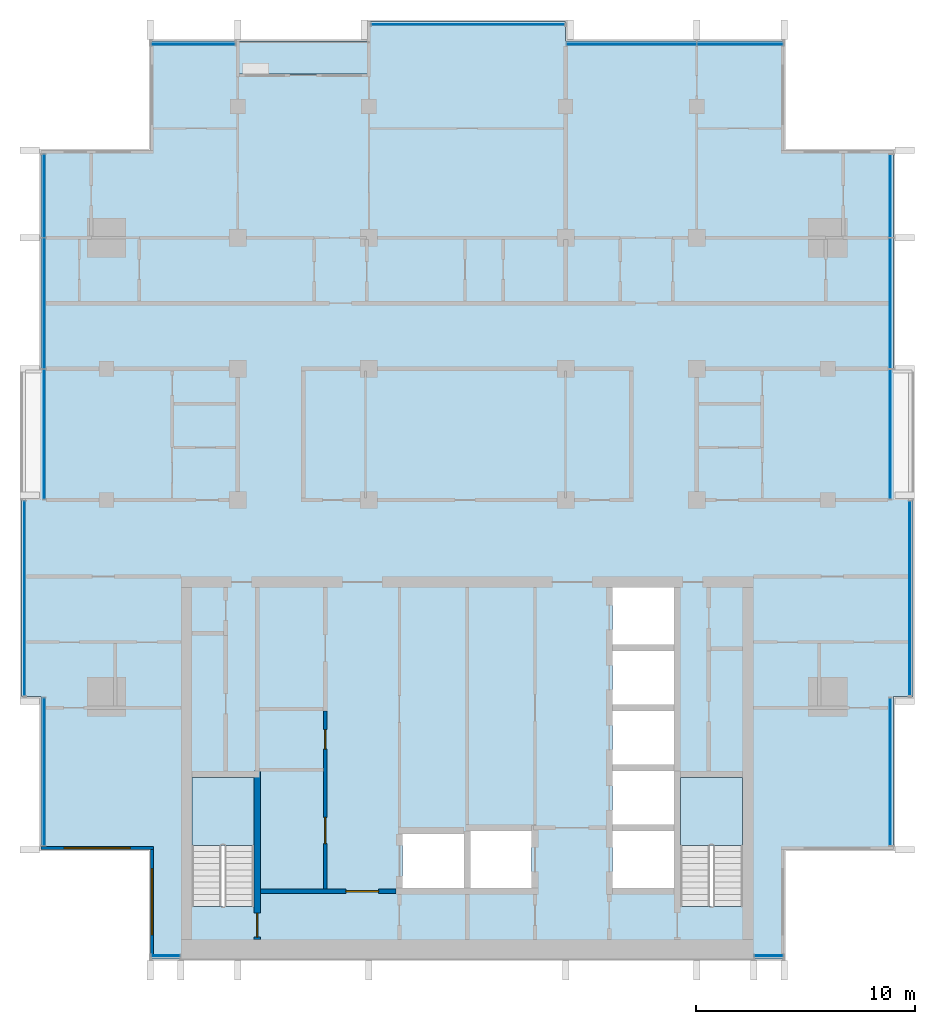
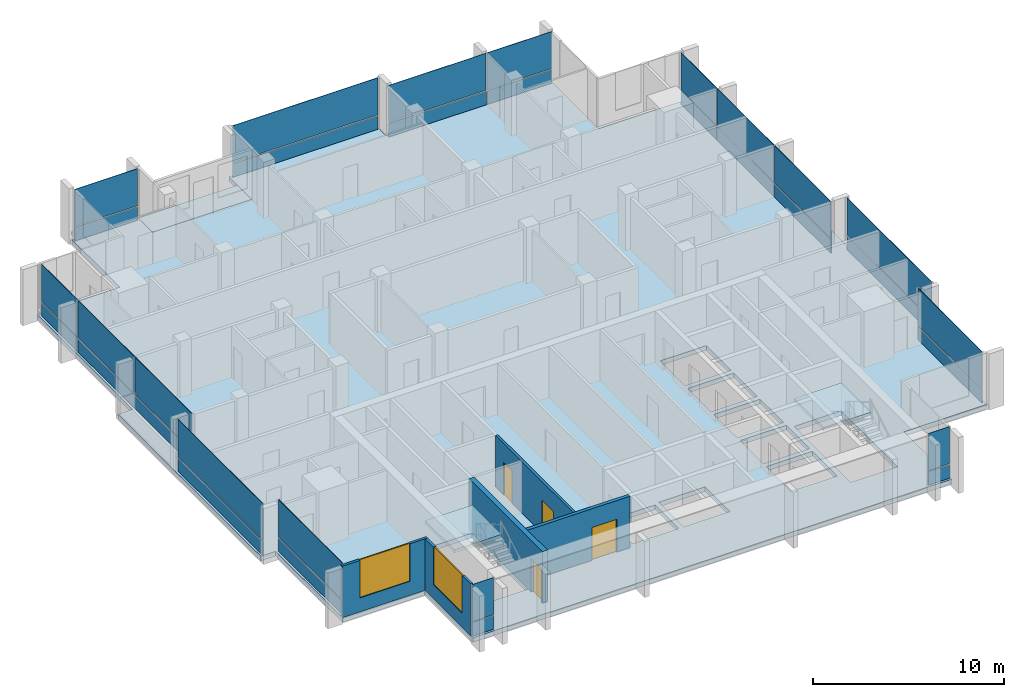
# One storey, part 6 of 16: 32 plates, 5 walls, 4 doors, 4 slabs, 2 windows, 6 openings, 13 elements without a shape of their own.
"""IFC4 building model written with IfcOpenShell, lengths in metres."""

import ifcopenshell
import ifcopenshell.guid

model = None  # the IFC model being written
_history = None  # IfcOwnerHistory: only IFC2X3 demands one
_inside = {}  # id of a spatial element -> (the spatial element, [elements in it])
_under = {}  # id of a project, library or spatial element -> (it, [spatial elements below it])
_declared = {}  # id of a project -> (the project, [libraries it declares])
_typed = {}  # id of a type object -> (the type object, [elements of that type])
_made_of = {}  # id of a material, layer set ... -> (it, [elements and type objects made of it])


def new_model(schema):
    """Start an empty IFC model of exactly this schema.

    Asked for "IFC4X3", IfcOpenShell would pick the latest addendum, in which some entities
    have other attributes; the version numbers below select the first issue.
    IFC2X3 requires an IfcOwnerHistory on every rooted entity: one is made here for all.
    """
    global model, _history
    if schema == "IFC4X3":
        model = ifcopenshell.file(schema_version=(4, 3, 0, 0))
    else:
        model = ifcopenshell.file(schema=schema)
    _inside.clear()
    _under.clear()
    _declared.clear()
    _typed.clear()
    _made_of.clear()
    _history = None
    if model.schema == "IFC2X3":
        org = make("IfcOrganization", Name="unknown")
        user = make(
            "IfcPersonAndOrganization",
            ThePerson=make("IfcPerson", FamilyName="unknown"),
            TheOrganization=org,
        )
        app = make(
            "IfcApplication",
            ApplicationDeveloper=org,
            Version="unknown",
            ApplicationFullName="unknown",
            ApplicationIdentifier="unknown",
        )
        _history = make(
            "IfcOwnerHistory",
            OwningUser=user,
            OwningApplication=app,
            ChangeAction="ADDED",
            CreationDate=0,
        )
    return model


def make(cls, **values):
    """One entity of the class cls with the attributes given. An attribute that is None is left unset."""
    return model.create_entity(
        cls, **{name: value for name, value in values.items() if value is not None}
    )


def rooted(cls, **values):
    """An entity with a GlobalId (a new one), such as an element, a storey or a relation."""
    return make(cls, GlobalId=ifcopenshell.guid.new(), OwnerHistory=_history, **values)


def si_unit(unit_type, name, prefix=None):
    """IfcSIUnit, for example si_unit("LENGTHUNIT", "METRE", prefix="MILLI")."""
    return make("IfcSIUnit", UnitType=unit_type, Prefix=prefix, Name=name)


def assignment(units):
    """IfcUnitAssignment: the units of a project."""
    return None if units is None else make("IfcUnitAssignment", Units=units)


def point(xyz):
    """IfcCartesianPoint."""
    return None if xyz is None else make("IfcCartesianPoint", Coordinates=xyz)


def direction(xyz):
    """IfcDirection."""
    return None if xyz is None else make("IfcDirection", DirectionRatios=xyz)


def frame(location, z_axis=None, x_axis=None):
    """IfcAxis2Placement3D, a coordinate frame: its origin and axes. An axis left out is left unset."""
    return make(
        "IfcAxis2Placement3D",
        Location=point(location),
        Axis=direction(z_axis),
        RefDirection=direction(x_axis),
    )


def frame_2d(location, x_axis=None):
    """IfcAxis2Placement2D, a coordinate frame in the plane: its origin and x axis."""
    return make(
        "IfcAxis2Placement2D", Location=point(location), RefDirection=direction(x_axis)
    )


def origin():
    """The frame at (0, 0, 0) with its axes left unset."""
    return frame((0.0, 0.0, 0.0))


def origin_2d():
    """The frame at (0, 0) in the plane with its x axis left unset."""
    return frame_2d((0.0, 0.0))


def place(relative_to, where):
    """IfcLocalPlacement: puts the frame where relative to a parent placement (None: the world)."""
    return make(
        "IfcLocalPlacement", PlacementRelTo=relative_to, RelativePlacement=where
    )


def context(
    kind, dimensions, precision=None, world=None, true_north=None, identifier=None
):
    """IfcGeometricRepresentationContext, for example the 3D "Model" context."""
    return make(
        "IfcGeometricRepresentationContext",
        ContextIdentifier=identifier,
        ContextType=kind,
        CoordinateSpaceDimension=dimensions,
        Precision=precision,
        WorldCoordinateSystem=world,
        TrueNorth=true_north,
    )


def subcontext(parent, identifier, kind, view, scale=None):
    """IfcGeometricRepresentationSubContext, for example "Body" below "Model"."""
    return make(
        "IfcGeometricRepresentationSubContext",
        ContextIdentifier=identifier,
        ContextType=kind,
        ParentContext=parent,
        TargetScale=scale,
        TargetView=view,
    )


def project(units=None, contexts=None):
    """IfcProject with its units and contexts."""
    return rooted(
        "IfcProject",
        Name="project",
        RepresentationContexts=contexts,
        UnitsInContext=assignment(units),
    )


def spatial(cls, under=None, at=None, **own):
    """A site, building, storey or space (cls), placed at a placement, below another one or the project."""
    s = rooted(cls, ObjectPlacement=at, **own)
    if under is not None:
        _under.setdefault(under.id(), (under, []))[1].append(s)
    return s


def polyline(points):
    """IfcPolyline through the points."""
    return make("IfcPolyline", Points=[point(p) for p in points])


def profile(cls, at=None, kind="AREA", **sizes):
    """A parametric profile (cls). Its sizes go by their IFC names, for example OverallWidth=200.0."""
    return make(cls, ProfileType=kind, Position=at, **sizes)


def rectangle(**sizes):
    """IfcRectangleProfileDef."""
    return profile("IfcRectangleProfileDef", **sizes)


def outline(outer, holes=None, kind="AREA"):
    """IfcArbitraryClosedProfileDef: a profile drawn as a closed curve; with holes, ...WithVoids."""
    if holes is None:
        return make("IfcArbitraryClosedProfileDef", ProfileType=kind, OuterCurve=outer)
    return make(
        "IfcArbitraryProfileDefWithVoids",
        ProfileType=kind,
        OuterCurve=outer,
        InnerCurves=holes,
    )


def extrude(swept, where, along, depth):
    """IfcExtrudedAreaSolid: the profile swept, set in the frame where, extruded along a direction by depth."""
    return make(
        "IfcExtrudedAreaSolid",
        SweptArea=swept,
        Position=where,
        ExtrudedDirection=direction(along),
        Depth=depth,
    )


def shape(context_of_items, identifier, shape_type, items):
    """IfcShapeRepresentation: the items that make up one representation, for example the "Body"."""
    return make(
        "IfcShapeRepresentation",
        ContextOfItems=context_of_items,
        RepresentationIdentifier=identifier,
        RepresentationType=shape_type,
        Items=items,
    )


def material(Name=None, Category=None):
    """IfcMaterial."""
    return make("IfcMaterial", Name=Name, Category=Category)


def layer(
    of_material, thickness, ventilated=None, Name=None, Category=None, Priority=None
):
    """IfcMaterialLayer: one layer of a wall or slab, of a material (None: an air gap)."""
    return make(
        "IfcMaterialLayer",
        Material=of_material,
        LayerThickness=thickness,
        IsVentilated=ventilated,
        Name=Name,
        Category=Category,
        Priority=Priority,
    )


def layer_set(layers, Name=None):
    """IfcMaterialLayerSet."""
    return make("IfcMaterialLayerSet", MaterialLayers=layers, LayerSetName=Name)


def made_of(thing, what):
    """Note that an element or type object is made of a material, layer set ...; save() writes the relation."""
    if what is not None:
        _made_of.setdefault(what.id(), (what, []))[1].append(thing)
    return thing


def type_object(cls, material=None, **own):
    """A type object (cls), such as IfcWallType, which elements share."""
    return made_of(rooted(cls, **own), material)


def element(
    cls,
    number,
    at=None,
    inside=None,
    cuts=None,
    type_object=None,
    material=None,
    context=None,
    identifier="Body",
    shape_type=None,
    held_by="IfcProductDefinitionShape",
    body=None,
    shapes=None,
    **own,
):
    """One element of the class cls, such as IfcWall. Its Tag is "e" and its number.

    at: its placement. inside: the storey or other place that contains it. cuts: it is an
    opening in that element (IfcRelVoidsElement). A single representation is given by context,
    identifier, shape_type and body (its items); several are given by shapes. held_by: the class
    of the entity that holds the representations. save() writes the other relations.
    """
    e = rooted(cls, Tag="e%d" % number, ObjectPlacement=at, **own)
    if body is not None:
        shapes = [shape(context, identifier, shape_type, body)]
    if shapes is not None:
        e.Representation = make(held_by, Representations=shapes)
    if inside is not None:
        _inside.setdefault(inside.id(), (inside, []))[1].append(e)
    if cuts is not None:
        rooted(
            "IfcRelVoidsElement", RelatingBuildingElement=cuts, RelatedOpeningElement=e
        )
    if type_object is not None:
        _typed.setdefault(type_object.id(), (type_object, []))[1].append(e)
    return made_of(e, material)


def fill(opening, filler):
    """IfcRelFillsElement: the door or window that sits in an opening."""
    return rooted(
        "IfcRelFillsElement",
        RelatingOpeningElement=opening,
        RelatedBuildingElement=filler,
    )


def aggregate(whole, parts):
    """IfcRelAggregates: a whole, such as a stair, and the parts it consists of."""
    return rooted("IfcRelAggregates", RelatingObject=whole, RelatedObjects=parts)


def save(model, path):
    """Write the relations noted so far, then the file.

    IfcRelAggregates (storeys below a building ...), IfcRelContainedInSpatialStructure (elements
    in a storey), IfcRelDefinesByType, IfcRelAssociatesMaterial and IfcRelDeclares: one each for
    every whole, place, type object, material and project.
    """
    for whole, parts in _under.values():
        aggregate(whole, parts)
    for where, things in _inside.values():
        rooted(
            "IfcRelContainedInSpatialStructure",
            RelatedElements=things,
            RelatingStructure=where,
        )
    for kind, things in _typed.values():
        rooted("IfcRelDefinesByType", RelatedObjects=things, RelatingType=kind)
    for what, things in _made_of.values():
        rooted("IfcRelAssociatesMaterial", RelatedObjects=things, RelatingMaterial=what)
    for by, libraries in _declared.values():
        rooted("IfcRelDeclares", RelatingContext=by, RelatedDefinitions=libraries)
    model.write(path)


model = new_model("IFC4")

# Units and contexts
model_context = context("Model", 3, precision=1e-05, world=origin(), true_north=direction((0.0, 1.0)))
body_context = subcontext(model_context, "Body", "Model", "MODEL_VIEW")
ifc_project = project(units=[si_unit("LENGTHUNIT", "METRE"), si_unit("AREAUNIT", "SQUARE_METRE"), si_unit("VOLUMEUNIT", "CUBIC_METRE"), si_unit("PLANEANGLEUNIT", "RADIAN"), si_unit("MASSUNIT", "GRAM", prefix="KILO")], contexts=[model_context])

# Site, building, storey
site_placement = place(None, origin())
site = spatial("IfcSite", under=ifc_project, at=site_placement, CompositionType="ELEMENT")
building_placement = place(site_placement, origin())
building = spatial("IfcBuilding", under=site, at=building_placement, Name="Finial Court Residences", CompositionType="ELEMENT")
storey_placement = place(building_placement, frame((0.0, 0.0, 277.10009765625)))
storey = spatial("IfcBuildingStorey", under=building, at=storey_placement, Name="L70", CompositionType="ELEMENT", Elevation=277.10009765625)

# Slab
ifc_material_1 = material(Name="Concrete C35/45", Category="concrete")
ifc_layer_1 = layer(ifc_material_1, 0.199951171875)
ifc_layer_set_1 = layer_set([ifc_layer_1], Name="Balcony slab, Concrete C35/45 200")
slab_type_1 = type_object("IfcSlabType", Name="Balcony slab, Concrete C35/45 200", PredefinedType="FLOOR", material=ifc_layer_set_1)
slab_1_placement = place(storey_placement, frame((0.0, 0.0, -0.2001953125)))
element("IfcSlab", 1, at=slab_1_placement, inside=storey, type_object=slab_type_1, Name="Balcony L70-N2", PredefinedType="FLOOR", context=body_context, shape_type="SweptSolid", body=[
    extrude(outline(polyline([(-4.5, 15.0), (-4.5, 16.5), (-10.5, 16.5), (-10.5, 15.0), (-4.5, 15.0)])), origin(), (0.0, 0.0, 1.0), 0.2001953125),
])

# Curtain wall, plate
ifc_material_2 = material(Name="Bronze anodised aluminium", Category="aluminium")
curtain_wall_type = type_object("IfcCurtainWallType", Name="Unitised curtain wall, upper zones", PredefinedType="NOTDEFINED", material=ifc_material_2)
curtain_wall_1_placement = place(storey_placement, origin())
curtain_wall_1 = element("IfcCurtainWall", 2, at=curtain_wall_1_placement, inside=storey, type_object=curtain_wall_type, Name="E-L70-CW-N1", PredefinedType="NOTDEFINED")
ifc_layer_2 = layer(ifc_material_2, 0.035888671875)
ifc_layer_set_2 = layer_set([ifc_layer_2], Name="CW2 spandrel panel 36")
plate_type_1 = type_object("IfcPlateType", Name="CW2 spandrel panel 36", PredefinedType="CURTAIN_PANEL", material=ifc_layer_set_2)
plate_1_placement = place(storey_placement, frame((-12.53759765625, 16.35009765625, -0.000244140625), z_axis=(0.0, 0.0, 1.0), x_axis=(1.0, 0.0, 0.0)))
plate_1 = element("IfcPlate", 3, at=plate_1_placement, type_object=plate_type_1, Name="CW2 spandrel 1.1", PredefinedType="CURTAIN_PANEL", context=body_context, shape_type="SweptSolid", body=[
    extrude(rectangle(XDim=3.804931640625, YDim=0.035888671875, at=origin_2d()), origin(), (0.0, 0.0, 1.0), 0.8701171875),
])

curtain_wall_2_placement = place(storey_placement, origin())
curtain_wall_2 = element("IfcCurtainWall", 4, at=curtain_wall_2_placement, inside=storey, type_object=curtain_wall_type, Name="E-L70-CW-N2", PredefinedType="NOTDEFINED")
plate_2_placement = place(storey_placement, frame((0.03759765625, 17.25, -0.000244140625), z_axis=(0.0, 0.0, 1.0), x_axis=(1.0, 0.0, 0.0)))
plate_2 = element("IfcPlate", 5, at=plate_2_placement, type_object=plate_type_1, Name="CW2 spandrel 1.1", PredefinedType="CURTAIN_PANEL", context=body_context, shape_type="SweptSolid", body=[
    extrude(rectangle(XDim=8.804931640625, YDim=0.035888671875, at=origin_2d()), origin(), (0.0, 0.0, 1.0), 0.8701171875),
])

# Curtain wall, plates
curtain_wall_3_placement = place(storey_placement, origin())
curtain_wall_3 = element("IfcCurtainWall", 6, at=curtain_wall_3_placement, inside=storey, type_object=curtain_wall_type, Name="E-L70-CW-N3", PredefinedType="NOTDEFINED")
plate_3_placement = place(storey_placement, frame((7.514892578125, 16.35009765625, -0.000244140625), z_axis=(0.0, 0.0, 1.0), x_axis=(1.0, 0.0, 0.0)))
plate_3 = element("IfcPlate", 7, at=plate_3_placement, type_object=plate_type_1, Name="CW2 spandrel 1.1", PredefinedType="CURTAIN_PANEL", context=body_context, shape_type="SweptSolid", body=[
    extrude(rectangle(XDim=5.909912109375, YDim=0.035888671875, at=origin_2d()), origin(), (0.0, 0.0, 1.0), 0.8701171875),
])
plate_4_placement = place(storey_placement, frame((12.485107421875, 16.35009765625, -0.000244140625), z_axis=(0.0, 0.0, 1.0), x_axis=(1.0, 0.0, 0.0)))
plate_4 = element("IfcPlate", 8, at=plate_4_placement, type_object=plate_type_1, Name="CW2 spandrel 2.1", PredefinedType="CURTAIN_PANEL", context=body_context, shape_type="SweptSolid", body=[
    extrude(rectangle(XDim=3.909912109375, YDim=0.035888671875, at=origin_2d()), origin(), (0.0, 0.0, 1.0), 0.8701171875),
])

# Curtain wall, plate
curtain_wall_4_placement = place(storey_placement, origin())
curtain_wall_4 = element("IfcCurtainWall", 9, at=curtain_wall_4_placement, inside=storey, type_object=curtain_wall_type, Name="E-L70-CW-E4", PredefinedType="NOTDEFINED")
plate_5_placement = place(storey_placement, frame((19.35009765625, -16.925048828125, -0.000244140625), z_axis=(0.0, 0.0, 1.0), x_axis=(0.0, 1.0, 0.0)))
plate_5 = element("IfcPlate", 10, at=plate_5_placement, type_object=plate_type_1, Name="CW2 spandrel 1.1", PredefinedType="CURTAIN_PANEL", context=body_context, shape_type="SweptSolid", body=[
    extrude(rectangle(XDim=6.72998046875, YDim=0.035888671875, at=origin_2d()), origin(), (0.0, 0.0, 1.0), 0.8701171875),
])

curtain_wall_5_placement = place(storey_placement, origin())
curtain_wall_5 = element("IfcCurtainWall", 11, at=curtain_wall_5_placement, inside=storey, type_object=curtain_wall_type, Name="E-L70-CW-E5", PredefinedType="NOTDEFINED")
plate_6_placement = place(storey_placement, frame((20.25, -9.0, -0.000244140625), z_axis=(0.0, 0.0, 1.0), x_axis=(0.0, 1.0, 0.0)))
plate_6 = element("IfcPlate", 12, at=plate_6_placement, type_object=plate_type_1, Name="CW2 spandrel 1.1", PredefinedType="CURTAIN_PANEL", context=body_context, shape_type="SweptSolid", body=[
    extrude(rectangle(XDim=8.8798828125, YDim=0.035888671875, at=origin_2d()), origin(), (0.0, 0.0, 1.0), 0.8701171875),
])

# Curtain wall, plates
curtain_wall_6_placement = place(storey_placement, origin())
curtain_wall_6 = element("IfcCurtainWall", 13, at=curtain_wall_6_placement, inside=storey, type_object=curtain_wall_type, Name="E-L70-CW-E6", PredefinedType="NOTDEFINED")
plate_7_placement = place(storey_placement, frame((19.35009765625, -1.485107421875, -0.000244140625), z_axis=(0.0, 0.0, 1.0), x_axis=(0.0, 1.0, 0.0)))
plate_7 = element("IfcPlate", 14, at=plate_7_placement, type_object=plate_type_1, Name="CW2 spandrel 1.1", PredefinedType="CURTAIN_PANEL", context=body_context, shape_type="SweptSolid", body=[
    extrude(rectangle(XDim=5.909912109375, YDim=0.035888671875, at=origin_2d()), origin(), (0.0, 0.0, 1.0), 0.8701171875),
])
plate_8_placement = place(storey_placement, frame((19.35009765625, 4.5, -0.000244140625), z_axis=(0.0, 0.0, 1.0), x_axis=(0.0, 1.0, 0.0)))
plate_8 = element("IfcPlate", 15, at=plate_8_placement, type_object=plate_type_1, Name="CW2 spandrel 2.1", PredefinedType="CURTAIN_PANEL", context=body_context, shape_type="SweptSolid", body=[
    extrude(rectangle(XDim=5.93994140625, YDim=0.035888671875, at=origin_2d()), origin(), (0.0, 0.0, 1.0), 0.8701171875),
])
plate_9_placement = place(storey_placement, frame((19.35009765625, 9.409912109375, -0.000244140625), z_axis=(0.0, 0.0, 1.0), x_axis=(0.0, 1.0, 0.0)))
plate_9 = element("IfcPlate", 16, at=plate_9_placement, type_object=plate_type_1, Name="CW2 spandrel 3.1", PredefinedType="CURTAIN_PANEL", context=body_context, shape_type="SweptSolid", body=[
    extrude(rectangle(XDim=3.760009765625, YDim=0.035888671875, at=origin_2d()), origin(), (0.0, 0.0, 1.0), 0.8701171875),
])

# Curtain wall, plate
curtain_wall_7_placement = place(storey_placement, origin())
curtain_wall_7 = element("IfcCurtainWall", 17, at=curtain_wall_7_placement, inside=storey, type_object=curtain_wall_type, Name="E-L70-CW-S7", PredefinedType="NOTDEFINED")
plate_10_placement = place(storey_placement, frame((-13.800048828125, -25.35009765625, -0.000244140625), z_axis=(0.0, 0.0, 1.0), x_axis=(1.0, 0.0, 0.0)))
plate_10 = element("IfcPlate", 18, at=plate_10_placement, type_object=plate_type_1, Name="CW2 spandrel 1.1", PredefinedType="CURTAIN_PANEL", context=body_context, shape_type="SweptSolid", body=[
    extrude(rectangle(XDim=1.280029296875, YDim=0.035888671875, at=origin_2d()), origin(), (0.0, 0.0, 1.0), 0.8701171875),
])

curtain_wall_8_placement = place(storey_placement, origin())
curtain_wall_8 = element("IfcCurtainWall", 19, at=curtain_wall_8_placement, inside=storey, type_object=curtain_wall_type, Name="E-L70-CW-S8", PredefinedType="NOTDEFINED")
plate_11_placement = place(storey_placement, frame((13.800048828125, -25.35009765625, -0.000244140625), z_axis=(0.0, 0.0, 1.0), x_axis=(1.0, 0.0, 0.0)))
plate_11 = element("IfcPlate", 20, at=plate_11_placement, type_object=plate_type_1, Name="CW2 spandrel 1.1", PredefinedType="CURTAIN_PANEL", context=body_context, shape_type="SweptSolid", body=[
    extrude(rectangle(XDim=1.280029296875, YDim=0.035888671875, at=origin_2d()), origin(), (0.0, 0.0, 1.0), 0.8701171875),
])

curtain_wall_9_placement = place(storey_placement, origin())
curtain_wall_9 = element("IfcCurtainWall", 21, at=curtain_wall_9_placement, inside=storey, type_object=curtain_wall_type, Name="E-L70-CW-W9", PredefinedType="NOTDEFINED")
plate_12_placement = place(storey_placement, frame((-19.35009765625, -16.925048828125, -0.000244140625), z_axis=(0.0, 0.0, 1.0), x_axis=(0.0, 1.0, 0.0)))
plate_12 = element("IfcPlate", 22, at=plate_12_placement, type_object=plate_type_1, Name="CW2 spandrel 1.1", PredefinedType="CURTAIN_PANEL", context=body_context, shape_type="SweptSolid", body=[
    extrude(rectangle(XDim=6.72998046875, YDim=0.035888671875, at=origin_2d()), origin(), (0.0, 0.0, 1.0), 0.8701171875),
])

curtain_wall_10_placement = place(storey_placement, origin())
curtain_wall_10 = element("IfcCurtainWall", 23, at=curtain_wall_10_placement, inside=storey, type_object=curtain_wall_type, Name="E-L70-CW-W10", PredefinedType="NOTDEFINED")
plate_13_placement = place(storey_placement, frame((-20.25, -9.0, -0.000244140625), z_axis=(0.0, 0.0, 1.0), x_axis=(0.0, 1.0, 0.0)))
plate_13 = element("IfcPlate", 24, at=plate_13_placement, type_object=plate_type_1, Name="CW2 spandrel 1.1", PredefinedType="CURTAIN_PANEL", context=body_context, shape_type="SweptSolid", body=[
    extrude(rectangle(XDim=8.8798828125, YDim=0.035888671875, at=origin_2d()), origin(), (0.0, 0.0, 1.0), 0.8701171875),
])

# Curtain wall, plates
curtain_wall_11_placement = place(storey_placement, origin())
curtain_wall_11 = element("IfcCurtainWall", 25, at=curtain_wall_11_placement, inside=storey, type_object=curtain_wall_type, Name="E-L70-CW-W11", PredefinedType="NOTDEFINED")
plate_14_placement = place(storey_placement, frame((-19.35009765625, -1.485107421875, -0.000244140625), z_axis=(0.0, 0.0, 1.0), x_axis=(0.0, 1.0, 0.0)))
plate_14 = element("IfcPlate", 26, at=plate_14_placement, type_object=plate_type_1, Name="CW2 spandrel 1.1", PredefinedType="CURTAIN_PANEL", context=body_context, shape_type="SweptSolid", body=[
    extrude(rectangle(XDim=5.909912109375, YDim=0.035888671875, at=origin_2d()), origin(), (0.0, 0.0, 1.0), 0.8701171875),
])
plate_15_placement = place(storey_placement, frame((-19.35009765625, 4.5, -0.000244140625), z_axis=(0.0, 0.0, 1.0), x_axis=(0.0, 1.0, 0.0)))
plate_15 = element("IfcPlate", 27, at=plate_15_placement, type_object=plate_type_1, Name="CW2 spandrel 2.1", PredefinedType="CURTAIN_PANEL", context=body_context, shape_type="SweptSolid", body=[
    extrude(rectangle(XDim=5.93994140625, YDim=0.035888671875, at=origin_2d()), origin(), (0.0, 0.0, 1.0), 0.8701171875),
])
plate_16_placement = place(storey_placement, frame((-19.35009765625, 9.409912109375, -0.000244140625), z_axis=(0.0, 0.0, 1.0), x_axis=(0.0, 1.0, 0.0)))
plate_16 = element("IfcPlate", 28, at=plate_16_placement, type_object=plate_type_1, Name="CW2 spandrel 3.1", PredefinedType="CURTAIN_PANEL", context=body_context, shape_type="SweptSolid", body=[
    extrude(rectangle(XDim=3.760009765625, YDim=0.035888671875, at=origin_2d()), origin(), (0.0, 0.0, 1.0), 0.8701171875),
])

# Plate
ifc_material_3 = material(Name="Clear low-e glass", Category="glass")
ifc_layer_3 = layer(ifc_material_3, 0.030029296875)
ifc_layer_set_3 = layer_set([ifc_layer_3], Name="CW2 vision glass 30")
plate_type_2 = type_object("IfcPlateType", Name="CW2 vision glass 30", PredefinedType="CURTAIN_PANEL", material=ifc_layer_set_3)
plate_17_placement = place(storey_placement, frame((-12.53759765625, 16.35009765625, 0.929931640625), z_axis=(0.0, 0.0, 1.0), x_axis=(1.0, 0.0, 0.0)))
plate_17 = element("IfcPlate", 29, at=plate_17_placement, type_object=plate_type_2, Name="CW2 glass 1.2", PredefinedType="CURTAIN_PANEL", context=body_context, shape_type="SweptSolid", body=[
    extrude(rectangle(XDim=3.804931640625, YDim=0.030029296875, at=origin_2d()), origin(), (0.0, 0.0, 1.0), 2.3701171875),
])

aggregate(curtain_wall_1, [plate_1, plate_17])

plate_18_placement = place(storey_placement, frame((0.03759765625, 17.25, 0.929931640625), z_axis=(0.0, 0.0, 1.0), x_axis=(1.0, 0.0, 0.0)))
plate_18 = element("IfcPlate", 30, at=plate_18_placement, type_object=plate_type_2, Name="CW2 glass 1.2", PredefinedType="CURTAIN_PANEL", context=body_context, shape_type="SweptSolid", body=[
    extrude(rectangle(XDim=8.804931640625, YDim=0.030029296875, at=origin_2d()), origin(), (0.0, 0.0, 1.0), 2.3701171875),
])

aggregate(curtain_wall_2, [plate_2, plate_18])

plate_19_placement = place(storey_placement, frame((7.514892578125, 16.35009765625, 0.929931640625), z_axis=(0.0, 0.0, 1.0), x_axis=(1.0, 0.0, 0.0)))
plate_19 = element("IfcPlate", 31, at=plate_19_placement, type_object=plate_type_2, Name="CW2 glass 1.2", PredefinedType="CURTAIN_PANEL", context=body_context, shape_type="SweptSolid", body=[
    extrude(rectangle(XDim=5.909912109375, YDim=0.030029296875, at=origin_2d()), origin(), (0.0, 0.0, 1.0), 2.3701171875),
])

plate_20_placement = place(storey_placement, frame((12.485107421875, 16.35009765625, 0.929931640625), z_axis=(0.0, 0.0, 1.0), x_axis=(1.0, 0.0, 0.0)))
plate_20 = element("IfcPlate", 32, at=plate_20_placement, type_object=plate_type_2, Name="CW2 glass 2.2", PredefinedType="CURTAIN_PANEL", context=body_context, shape_type="SweptSolid", body=[
    extrude(rectangle(XDim=3.909912109375, YDim=0.030029296875, at=origin_2d()), origin(), (0.0, 0.0, 1.0), 2.3701171875),
])

aggregate(curtain_wall_3, [plate_3, plate_19, plate_4, plate_20])

plate_21_placement = place(storey_placement, frame((19.35009765625, -16.925048828125, 0.929931640625), z_axis=(0.0, 0.0, 1.0), x_axis=(0.0, 1.0, 0.0)))
plate_21 = element("IfcPlate", 33, at=plate_21_placement, type_object=plate_type_2, Name="CW2 glass 1.2", PredefinedType="CURTAIN_PANEL", context=body_context, shape_type="SweptSolid", body=[
    extrude(rectangle(XDim=6.72998046875, YDim=0.030029296875, at=origin_2d()), origin(), (0.0, 0.0, 1.0), 2.3701171875),
])

aggregate(curtain_wall_4, [plate_5, plate_21])

plate_22_placement = place(storey_placement, frame((20.25, -9.0, 0.929931640625), z_axis=(0.0, 0.0, 1.0), x_axis=(0.0, 1.0, 0.0)))
plate_22 = element("IfcPlate", 34, at=plate_22_placement, type_object=plate_type_2, Name="CW2 glass 1.2", PredefinedType="CURTAIN_PANEL", context=body_context, shape_type="SweptSolid", body=[
    extrude(rectangle(XDim=8.8798828125, YDim=0.030029296875, at=origin_2d()), origin(), (0.0, 0.0, 1.0), 2.3701171875),
])

aggregate(curtain_wall_5, [plate_6, plate_22])

plate_23_placement = place(storey_placement, frame((19.35009765625, -1.485107421875, 0.929931640625), z_axis=(0.0, 0.0, 1.0), x_axis=(0.0, 1.0, 0.0)))
plate_23 = element("IfcPlate", 35, at=plate_23_placement, type_object=plate_type_2, Name="CW2 glass 1.2", PredefinedType="CURTAIN_PANEL", context=body_context, shape_type="SweptSolid", body=[
    extrude(rectangle(XDim=5.909912109375, YDim=0.030029296875, at=origin_2d()), origin(), (0.0, 0.0, 1.0), 2.3701171875),
])

plate_24_placement = place(storey_placement, frame((19.35009765625, 4.5, 0.929931640625), z_axis=(0.0, 0.0, 1.0), x_axis=(0.0, 1.0, 0.0)))
plate_24 = element("IfcPlate", 36, at=plate_24_placement, type_object=plate_type_2, Name="CW2 glass 2.2", PredefinedType="CURTAIN_PANEL", context=body_context, shape_type="SweptSolid", body=[
    extrude(rectangle(XDim=5.93994140625, YDim=0.030029296875, at=origin_2d()), origin(), (0.0, 0.0, 1.0), 2.3701171875),
])

plate_25_placement = place(storey_placement, frame((19.35009765625, 9.409912109375, 0.929931640625), z_axis=(0.0, 0.0, 1.0), x_axis=(0.0, 1.0, 0.0)))
plate_25 = element("IfcPlate", 37, at=plate_25_placement, type_object=plate_type_2, Name="CW2 glass 3.2", PredefinedType="CURTAIN_PANEL", context=body_context, shape_type="SweptSolid", body=[
    extrude(rectangle(XDim=3.760009765625, YDim=0.030029296875, at=origin_2d()), origin(), (0.0, 0.0, 1.0), 2.3701171875),
])

aggregate(curtain_wall_6, [plate_7, plate_23, plate_8, plate_24, plate_9, plate_25])

plate_26_placement = place(storey_placement, frame((-13.800048828125, -25.35009765625, 0.929931640625), z_axis=(0.0, 0.0, 1.0), x_axis=(1.0, 0.0, 0.0)))
plate_26 = element("IfcPlate", 38, at=plate_26_placement, type_object=plate_type_2, Name="CW2 glass 1.2", PredefinedType="CURTAIN_PANEL", context=body_context, shape_type="SweptSolid", body=[
    extrude(rectangle(XDim=1.280029296875, YDim=0.030029296875, at=origin_2d()), origin(), (0.0, 0.0, 1.0), 2.3701171875),
])

aggregate(curtain_wall_7, [plate_10, plate_26])

plate_27_placement = place(storey_placement, frame((13.800048828125, -25.35009765625, 0.929931640625), z_axis=(0.0, 0.0, 1.0), x_axis=(1.0, 0.0, 0.0)))
plate_27 = element("IfcPlate", 39, at=plate_27_placement, type_object=plate_type_2, Name="CW2 glass 1.2", PredefinedType="CURTAIN_PANEL", context=body_context, shape_type="SweptSolid", body=[
    extrude(rectangle(XDim=1.280029296875, YDim=0.030029296875, at=origin_2d()), origin(), (0.0, 0.0, 1.0), 2.3701171875),
])

aggregate(curtain_wall_8, [plate_11, plate_27])

plate_28_placement = place(storey_placement, frame((-19.35009765625, -16.925048828125, 0.929931640625), z_axis=(0.0, 0.0, 1.0), x_axis=(0.0, 1.0, 0.0)))
plate_28 = element("IfcPlate", 40, at=plate_28_placement, type_object=plate_type_2, Name="CW2 glass 1.2", PredefinedType="CURTAIN_PANEL", context=body_context, shape_type="SweptSolid", body=[
    extrude(rectangle(XDim=6.72998046875, YDim=0.030029296875, at=origin_2d()), origin(), (0.0, 0.0, 1.0), 2.3701171875),
])

aggregate(curtain_wall_9, [plate_12, plate_28])

plate_29_placement = place(storey_placement, frame((-20.25, -9.0, 0.929931640625), z_axis=(0.0, 0.0, 1.0), x_axis=(0.0, 1.0, 0.0)))
plate_29 = element("IfcPlate", 41, at=plate_29_placement, type_object=plate_type_2, Name="CW2 glass 1.2", PredefinedType="CURTAIN_PANEL", context=body_context, shape_type="SweptSolid", body=[
    extrude(rectangle(XDim=8.8798828125, YDim=0.030029296875, at=origin_2d()), origin(), (0.0, 0.0, 1.0), 2.3701171875),
])

aggregate(curtain_wall_10, [plate_13, plate_29])

plate_30_placement = place(storey_placement, frame((-19.35009765625, -1.485107421875, 0.929931640625), z_axis=(0.0, 0.0, 1.0), x_axis=(0.0, 1.0, 0.0)))
plate_30 = element("IfcPlate", 42, at=plate_30_placement, type_object=plate_type_2, Name="CW2 glass 1.2", PredefinedType="CURTAIN_PANEL", context=body_context, shape_type="SweptSolid", body=[
    extrude(rectangle(XDim=5.909912109375, YDim=0.030029296875, at=origin_2d()), origin(), (0.0, 0.0, 1.0), 2.3701171875),
])

plate_31_placement = place(storey_placement, frame((-19.35009765625, 4.5, 0.929931640625), z_axis=(0.0, 0.0, 1.0), x_axis=(0.0, 1.0, 0.0)))
plate_31 = element("IfcPlate", 43, at=plate_31_placement, type_object=plate_type_2, Name="CW2 glass 2.2", PredefinedType="CURTAIN_PANEL", context=body_context, shape_type="SweptSolid", body=[
    extrude(rectangle(XDim=5.93994140625, YDim=0.030029296875, at=origin_2d()), origin(), (0.0, 0.0, 1.0), 2.3701171875),
])

plate_32_placement = place(storey_placement, frame((-19.35009765625, 9.409912109375, 0.929931640625), z_axis=(0.0, 0.0, 1.0), x_axis=(0.0, 1.0, 0.0)))
plate_32 = element("IfcPlate", 44, at=plate_32_placement, type_object=plate_type_2, Name="CW2 glass 3.2", PredefinedType="CURTAIN_PANEL", context=body_context, shape_type="SweptSolid", body=[
    extrude(rectangle(XDim=3.760009765625, YDim=0.030029296875, at=origin_2d()), origin(), (0.0, 0.0, 1.0), 2.3701171875),
])

aggregate(curtain_wall_11, [plate_14, plate_30, plate_15, plate_31, plate_16, plate_32])

# Stair, slab
ifc_material_4 = material(Name="Concrete C50/60", Category="concrete")
stair_type = type_object("IfcStairType", Name="Exit stair 22 risers of 163.6 mm", PredefinedType="HALF_TURN_STAIR", material=ifc_material_4)
stair_1_placement = place(storey_placement, origin())
stair_1 = element("IfcStair", 45, at=stair_1_placement, inside=storey, type_object=stair_type, Name="L70 Exit stair ST-1", PredefinedType="HALF_TURN_STAIR")
ifc_layer_4 = layer(ifc_material_4, 0.199951171875)
ifc_layer_set_4 = layer_set([ifc_layer_4], Name="Exit stair landing")
slab_type_2 = type_object("IfcSlabType", Name="Exit stair landing", PredefinedType="LANDING", material=ifc_layer_set_4)
slab_2_placement = place(storey_placement, frame((0.0, 0.0, 1.599853515625)))
slab_2 = element("IfcSlab", 46, at=slab_2_placement, type_object=slab_type_2, Name="ST-1 landing 1", PredefinedType="LANDING", context=body_context, shape_type="SweptSolid", body=[
    extrude(outline(polyline([(-9.75, -20.300048828125), (-9.75, -17.199951171875), (-12.60009765625, -17.199951171875), (-12.60009765625, -20.300048828125), (-9.75, -20.300048828125)])), origin(), (0.0, 0.0, 1.0), 0.199951171875),
])
aggregate(stair_1, [slab_2])

stair_2_placement = place(storey_placement, origin())
stair_2 = element("IfcStair", 47, at=stair_2_placement, inside=storey, type_object=stair_type, Name="L70 Exit stair ST-2", PredefinedType="HALF_TURN_STAIR")
slab_3_placement = place(storey_placement, frame((0.0, 0.0, 1.599853515625)))
slab_3 = element("IfcSlab", 48, at=slab_3_placement, type_object=slab_type_2, Name="ST-2 landing 1", PredefinedType="LANDING", context=body_context, shape_type="SweptSolid", body=[
    extrude(outline(polyline([(12.60009765625, -20.300048828125), (12.60009765625, -17.199951171875), (9.75, -17.199951171875), (9.75, -20.300048828125), (12.60009765625, -20.300048828125)])), origin(), (0.0, 0.0, 1.0), 0.199951171875),
])
aggregate(stair_2, [slab_3])

# Slab
ifc_material_5 = material(Name="Concrete C40/50", Category="concrete")
ifc_layer_5 = layer(ifc_material_5, 0.300048828125)
ifc_layer_set_5 = layer_set([ifc_layer_5], Name="Flat plate slab 300 Concrete C40/50")
slab_type_3 = type_object("IfcSlabType", Name="Flat plate slab 300 Concrete C40/50", PredefinedType="FLOOR", material=ifc_layer_set_5)
slab_4_placement = place(storey_placement, frame((0.0, 0.0, -0.300048828125)))
element("IfcSlab", 49, at=slab_4_placement, inside=storey, type_object=slab_type_3, Name="S:SLAB:L70", PredefinedType="FLOOR", context=body_context, shape_type="SweptSolid", body=[
    extrude(outline(polyline([(-14.5, 16.5), (-10.5, 16.5), (-10.5, 15.0), (-4.5, 15.0), (-4.5, 16.5), (-4.5, 17.39990234375), (4.5, 17.39990234375), (4.5, 16.5), (14.5, 16.5), (14.5, 11.5), (19.5, 11.5), (19.5, 1.5), (20.39990234375, 1.5), (20.39990234375, -4.5), (20.39990234375, -13.5), (19.5, -13.5), (19.5, -20.5), (14.5, -20.5), (14.5, -25.5), (-14.5, -25.5), (-14.5, -20.5), (-19.5, -20.5), (-19.5, -13.5), (-20.39990234375, -13.5), (-20.39990234375, -4.5), (-20.39990234375, 1.5), (-19.5, 1.5), (-19.5, 11.5), (-14.5, 11.5), (-14.5, 16.5)]), holes=[polyline([(-0.14990234375, -19.77001953125), (-2.949951171875, -19.77001953125), (-2.949951171875, -22.25), (-0.14990234375, -22.25), (-0.14990234375, -19.77001953125)]), polyline([(2.949951171875, -19.64990234375), (0.14990234375, -19.64990234375), (0.14990234375, -22.25), (2.949951171875, -22.25), (2.949951171875, -19.64990234375)]), polyline([(9.449951171875, -19.64990234375), (6.64990234375, -19.64990234375), (6.64990234375, -22.25), (9.449951171875, -22.25), (9.449951171875, -19.64990234375)]), polyline([(-12.60009765625, -17.199951171875), (-12.60009765625, -23.09912109375), (-9.75, -23.09912109375), (-9.75, -17.199951171875), (-12.60009765625, -17.199951171875)]), polyline([(9.75, -17.199951171875), (9.75, -23.09912109375), (12.60009765625, -23.09912109375), (12.60009765625, -17.199951171875), (9.75, -17.199951171875)]), polyline([(9.449951171875, -16.89990234375), (6.64990234375, -16.89990234375), (6.64990234375, -19.35009765625), (9.449951171875, -19.35009765625), (9.449951171875, -16.89990234375)]), polyline([(9.449951171875, -14.14990234375), (6.64990234375, -14.14990234375), (6.64990234375, -16.60009765625), (9.449951171875, -16.60009765625), (9.449951171875, -14.14990234375)]), polyline([(9.449951171875, -13.85009765625), (9.449951171875, -11.39990234375), (6.64990234375, -11.39990234375), (6.64990234375, -13.85009765625), (9.449951171875, -13.85009765625)]), polyline([(9.449951171875, -11.10009765625), (9.449951171875, -8.5), (6.64990234375, -8.5), (6.64990234375, -11.10009765625), (9.449951171875, -11.10009765625)])]), origin(), (0.0, 0.0, 1.0), 0.300048828125),
])

# Wall, openings, doors
ifc_material_6 = material(Name="Fire-rated gypsum board partition")
ifc_layer_6 = layer(ifc_material_6, 0.14990234375)
ifc_layer_set_6 = layer_set([ifc_layer_6], Name="Core room partition 150 EI 60")
wall_type_1 = type_object("IfcWallType", Name="Core room partition 150 EI 60", PredefinedType="PARTITIONING", material=ifc_layer_set_6)
wall_1_placement = place(storey_placement, frame((-6.5, -22.300048828125, 0.0), z_axis=(0.0, 0.0, 1.0), x_axis=(0.0, 1.0, 0.0)))
wall_1 = element("IfcWall", 50, at=wall_1_placement, inside=storey, type_object=wall_type_1, Name="Core partition L70-22", PredefinedType="PARTITIONING", context=body_context, shape_type="SweptSolid", body=[
    extrude(rectangle(XDim=8.14013671875, YDim=0.14990234375, at=frame_2d((4.070068359375, 0.0))), origin(), (0.0, 0.0, 1.0), 3.2998046875),
])
opening_1_placement = place(wall_1_placement, frame((2.080078125, 0.0, 0.0)))
opening_1 = element("IfcOpeningElement", 51, at=opening_1_placement, cuts=wall_1, Name="Opening L70-C15", PredefinedType="OPENING", context=body_context, shape_type="SweptSolid", body=[
    extrude(rectangle(XDim=1.199951171875, YDim=2.10009765625, at=frame_2d((0.60009765625, 1.050048828125))), frame((0.0, 0.0849609375, 0.0), z_axis=(0.0, -1.0, 0.0), x_axis=(1.0, 0.0, 0.0)), (0.0, 0.0, 1.0), 0.169921875),
])
opening_2_placement = place(wall_1_placement, frame((6.39990234375, 0.0, 0.0)))
opening_2 = element("IfcOpeningElement", 52, at=opening_2_placement, cuts=wall_1, Name="Opening L70-C16", PredefinedType="OPENING", context=body_context, shape_type="SweptSolid", body=[
    extrude(rectangle(XDim=0.89990234375, YDim=2.10009765625, at=frame_2d((0.449951171875, 1.050048828125))), frame((0.0, 0.0849609375, 0.0), z_axis=(0.0, -1.0, 0.0), x_axis=(1.0, 0.0, 0.0)), (0.0, 0.0, 1.0), 0.169921875),
])
ifc_material_7 = material(Name="Steel fire door", Category="steel")
door_type_1 = type_object("IfcDoorType", Name="Core room door 1200 x 2100 EI 60", OperationType="NOTDEFINED", PredefinedType="DOOR", material=ifc_material_7)
door_1_placement = place(opening_1_placement, origin())
door_1 = element("IfcDoor", 53, at=door_1_placement, inside=storey, type_object=door_type_1, Name="Core room door L70-C15", OperationType="SINGLE_SWING_LEFT", OverallHeight=2.10009765625, OverallWidth=1.199951171875, PredefinedType="DOOR", context=body_context, shape_type="SweptSolid", body=[
    extrude(rectangle(XDim=1.199951171875, YDim=2.10009765625, at=frame_2d((0.60009765625, 1.050048828125))), frame((0.0, 0.02490234375, 0.0), z_axis=(0.0, -1.0, 0.0), x_axis=(1.0, 0.0, 0.0)), (0.0, 0.0, 1.0), 0.050048828125),
])
fill(opening_1, door_1)
door_type_2 = type_object("IfcDoorType", Name="Core room door 900 x 2100 EI 60", OperationType="NOTDEFINED", PredefinedType="DOOR", material=ifc_material_7)
door_2_placement = place(opening_2_placement, origin())
door_2 = element("IfcDoor", 54, at=door_2_placement, inside=storey, type_object=door_type_2, Name="Core room door L70-C16", OperationType="SINGLE_SWING_RIGHT", OverallHeight=2.10009765625, OverallWidth=0.89990234375, PredefinedType="DOOR", context=body_context, shape_type="SweptSolid", body=[
    extrude(rectangle(XDim=0.89990234375, YDim=2.10009765625, at=frame_2d((0.449951171875, 1.050048828125))), frame((0.0, 0.02490234375, 0.0), z_axis=(0.0, -1.0, 0.0), x_axis=(1.0, 0.0, 0.0)), (0.0, 0.0, 1.0), 0.050048828125),
])
fill(opening_2, door_2)

# Wall, opening, door
ifc_layer_7 = layer(ifc_material_4, 0.300048828125)
ifc_layer_set_7 = layer_set([ifc_layer_7], Name="Lift shaft and stair wall 300 Concrete C50/60")
wall_type_2 = type_object("IfcWallType", Name="Lift shaft and stair wall 300 Concrete C50/60", PredefinedType="SHEAR", material=ifc_layer_set_7)
wall_2_placement = place(storey_placement, frame((-9.60009765625, -24.60009765625, 0.0), z_axis=(0.0, 0.0, 1.0), x_axis=(0.0, 1.0, 0.0)))
wall_2 = element("IfcWall", 55, at=wall_2_placement, inside=storey, type_object=wall_type_2, Name="Core wall L70-19", PredefinedType="SHEAR", context=body_context, shape_type="SweptSolid", body=[
    extrude(rectangle(XDim=7.7001953125, YDim=0.300048828125, at=frame_2d((3.85009765625, 0.0))), origin(), (0.0, 0.0, 1.0), 3.2998046875),
])
opening_3_placement = place(wall_2_placement, frame((0.10009765625, 0.0, 0.0)))
opening_3 = element("IfcOpeningElement", 56, at=opening_3_placement, cuts=wall_2, Name="Opening L70-C19", PredefinedType="OPENING", context=body_context, shape_type="SweptSolid", body=[
    extrude(rectangle(XDim=1.10009765625, YDim=2.10009765625, at=frame_2d((0.550048828125, 1.050048828125))), frame((0.0, 0.159912109375, 0.0), z_axis=(0.0, -1.0, 0.0), x_axis=(1.0, 0.0, 0.0)), (0.0, 0.0, 1.0), 0.320068359375),
])
door_type_3 = type_object("IfcDoorType", Name="Stair door 1100 x 2100 EI 90", OperationType="NOTDEFINED", PredefinedType="DOOR", material=ifc_material_7)
door_3_placement = place(opening_3_placement, origin())
door_3 = element("IfcDoor", 57, at=door_3_placement, inside=storey, type_object=door_type_3, Name="Stair door L70-C19", OperationType="SINGLE_SWING_LEFT", OverallHeight=2.10009765625, OverallWidth=1.10009765625, PredefinedType="DOOR", context=body_context, shape_type="SweptSolid", body=[
    extrude(rectangle(XDim=1.10009765625, YDim=2.10009765625, at=frame_2d((0.550048828125, 1.050048828125))), frame((0.0, 0.02490234375, 0.0), z_axis=(0.0, -1.0, 0.0), x_axis=(1.0, 0.0, 0.0)), (0.0, 0.0, 1.0), 0.050048828125),
])
fill(opening_3, door_3)

# Wall, opening, window
ifc_material_8 = material(Name="Natural limestone", Category="masonry")
ifc_layer_8 = layer(ifc_material_8, 0.14990234375)
ifc_layer_set_8 = layer_set([ifc_layer_8], Name="Limestone clad wall 150")
wall_type_3 = type_object("IfcWallType", Name="Limestone clad wall 150", PredefinedType="SOLIDWALL", material=ifc_layer_set_8)
wall_3_placement = place(storey_placement, frame((-14.425048828125, -25.262451171875, 0.0), z_axis=(0.0, 0.0, 1.0), x_axis=(0.0, 1.0, 0.0)))
wall_3 = element("IfcWall", 58, at=wall_3_placement, inside=storey, type_object=wall_type_3, Name="E-L70-NWW12", PredefinedType="SOLIDWALL", context=body_context, shape_type="SweptSolid", body=[
    extrude(rectangle(XDim=4.762451171875, YDim=0.14990234375, at=frame_2d((2.38134765625, 0.0))), origin(), (0.0, 0.0, 1.0), 3.2998046875),
])
opening_4_placement = place(wall_3_placement, frame((0.881103515625, 0.0, 0.89990234375)))
opening_4 = element("IfcOpeningElement", 59, at=opening_4_placement, cuts=wall_3, Name="Opening WE70-01", PredefinedType="OPENING", context=body_context, shape_type="SweptSolid", body=[
    extrude(rectangle(XDim=3.0, YDim=2.39990234375, at=frame_2d((1.5, 1.199951171875))), frame((0.0, 0.0849609375, 0.0), z_axis=(0.0, -1.0, 0.0), x_axis=(1.0, 0.0, 0.0)), (0.0, 0.0, 1.0), 0.169921875),
])
window_type = type_object("IfcWindowType", Name="Corner window 3000 x 2400", PartitioningType="SINGLE_PANEL", PredefinedType="WINDOW", material=ifc_material_3)
window_1_placement = place(opening_4_placement, origin())
window_1 = element("IfcWindow", 60, at=window_1_placement, inside=storey, type_object=window_type, Name="E-L70-NWW12-W1", OverallHeight=2.39990234375, OverallWidth=3.0, PartitioningType="SINGLE_PANEL", PredefinedType="WINDOW", context=body_context, shape_type="SweptSolid", body=[
    extrude(rectangle(XDim=3.0, YDim=2.39990234375, at=frame_2d((1.5, 1.199951171875))), frame((0.0, 0.030029296875, 0.0), z_axis=(0.0, -1.0, 0.0), x_axis=(1.0, 0.0, 0.0)), (0.0, 0.0, 1.0), 0.06005859375),
])
fill(opening_4, window_1)

wall_4_placement = place(storey_placement, frame((-14.35009765625, -20.425048828125, 0.0), z_axis=(0.0, 0.0, 1.0), x_axis=(-1.0, 0.0, 0.0)))
wall_4 = element("IfcWall", 61, at=wall_4_placement, inside=storey, type_object=wall_type_3, Name="E-L70-NWS13", PredefinedType="SOLIDWALL", context=body_context, shape_type="SweptSolid", body=[
    extrude(rectangle(XDim=5.14990234375, YDim=0.14990234375, at=frame_2d((2.574951171875, 0.0))), origin(), (0.0, 0.0, 1.0), 3.2998046875),
])
opening_5_placement = place(wall_4_placement, frame((1.074951171875, 0.0, 0.89990234375)))
opening_5 = element("IfcOpeningElement", 62, at=opening_5_placement, cuts=wall_4, Name="Opening WE70-02", PredefinedType="OPENING", context=body_context, shape_type="SweptSolid", body=[
    extrude(rectangle(XDim=3.0, YDim=2.39990234375, at=frame_2d((1.5, 1.199951171875))), frame((0.0, 0.0849609375, 0.0), z_axis=(0.0, -1.0, 0.0), x_axis=(1.0, 0.0, 0.0)), (0.0, 0.0, 1.0), 0.169921875),
])
window_2_placement = place(opening_5_placement, origin())
window_2 = element("IfcWindow", 63, at=window_2_placement, inside=storey, type_object=window_type, Name="E-L70-NWS13-W1", OverallHeight=2.39990234375, OverallWidth=3.0, PartitioningType="SINGLE_PANEL", PredefinedType="WINDOW", context=body_context, shape_type="SweptSolid", body=[
    extrude(rectangle(XDim=3.0, YDim=2.39990234375, at=frame_2d((1.5, 1.199951171875))), frame((0.0, 0.030029296875, 0.0), z_axis=(0.0, -1.0, 0.0), x_axis=(1.0, 0.0, 0.0)), (0.0, 0.0, 1.0), 0.06005859375),
])
fill(opening_5, window_2)

# Wall, opening, door
ifc_layer_9 = layer(ifc_material_6, 0.199951171875)
ifc_layer_set_9 = layer_set([ifc_layer_9], Name="Stair passage wall 200 EI 180")
wall_type_4 = type_object("IfcWallType", Name="Stair passage wall 200 EI 180", PredefinedType="PARTITIONING", material=ifc_layer_set_9)
wall_5_placement = place(storey_placement, frame((-3.25, -22.39990234375, 0.0), z_axis=(0.0, 0.0, 1.0), x_axis=(-1.0, 0.0, 0.0)))
wall_5 = element("IfcWall", 64, at=wall_5_placement, inside=storey, type_object=wall_type_4, Name="Core partition L70-01", PredefinedType="PARTITIONING", context=body_context, shape_type="SweptSolid", body=[
    extrude(rectangle(XDim=6.199951171875, YDim=0.199951171875, at=frame_2d((3.10009765625, 0.0))), origin(), (0.0, 0.0, 1.0), 3.2998046875),
])
opening_6_placement = place(wall_5_placement, frame((0.800048828125, 0.0, 0.0)))
opening_6 = element("IfcOpeningElement", 65, at=opening_6_placement, cuts=wall_5, Name="Opening L70-C03", PredefinedType="OPENING", context=body_context, shape_type="SweptSolid", body=[
    extrude(rectangle(XDim=1.5, YDim=2.10009765625, at=frame_2d((0.75, 1.050048828125))), frame((0.0, 0.10986328125, 0.0), z_axis=(0.0, -1.0, 0.0), x_axis=(1.0, 0.0, 0.0)), (0.0, 0.0, 1.0), 0.219970703125),
])
door_type_4 = type_object("IfcDoorType", Name="Lift lobby door 1500 x 2100 EI 60", OperationType="DOUBLE_DOOR_SINGLE_SWING", PredefinedType="DOOR", material=ifc_material_7)
door_4_placement = place(opening_6_placement, origin())
door_4 = element("IfcDoor", 66, at=door_4_placement, inside=storey, type_object=door_type_4, Name="Lift lobby door L70-C03", OperationType="DOUBLE_DOOR_SINGLE_SWING", OverallHeight=2.10009765625, OverallWidth=1.5, PredefinedType="DOOR", context=body_context, shape_type="SweptSolid", body=[
    extrude(rectangle(XDim=1.5, YDim=2.10009765625, at=frame_2d((0.75, 1.050048828125))), frame((0.0, 0.02490234375, 0.0), z_axis=(0.0, -1.0, 0.0), x_axis=(1.0, 0.0, 0.0)), (0.0, 0.0, 1.0), 0.050048828125),
])
fill(opening_6, door_4)

save(model, "model.ifc")
